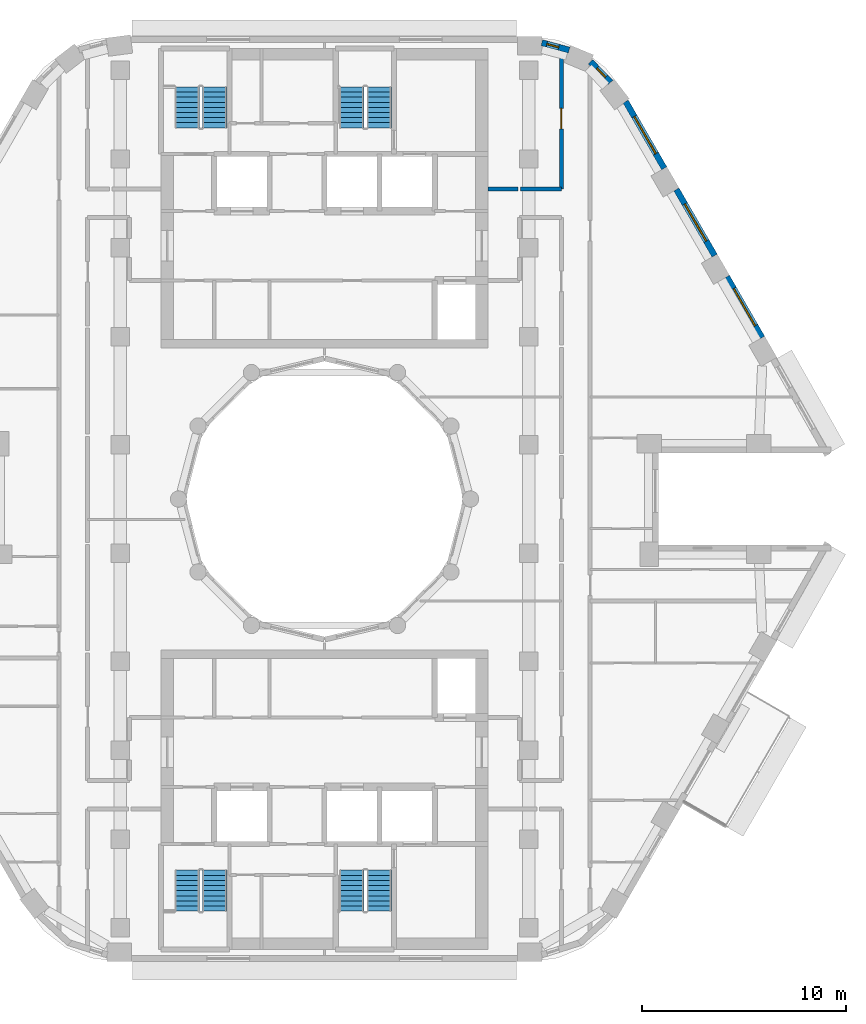
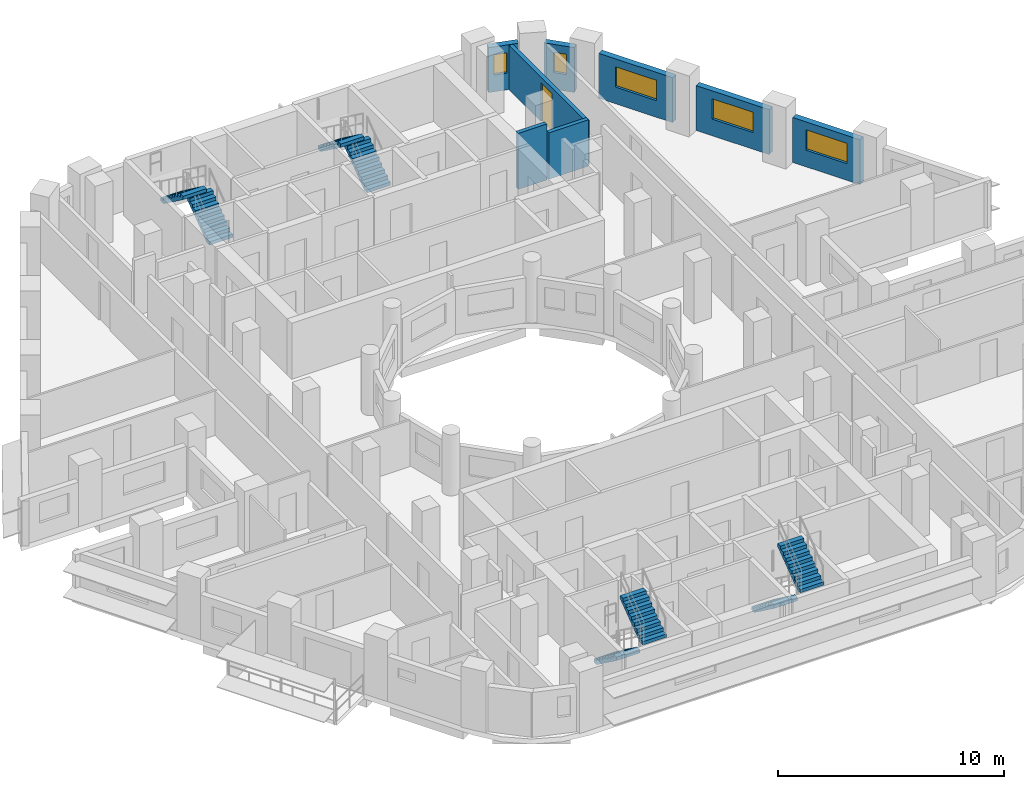
# One storey, part 9 of 15: 8 stair flights, 8 walls, 5 windows, 1 door, 6 openings, 4 elements without a shape of their own.
"""IFC4 building model written with IfcOpenShell, lengths in metres."""

from ifc_helpers import new_model, si_unit, direction, frame, frame_2d, origin, place, context, subcontext, project, spatial, polyline, rectangle, outline, extrude, material, layer, layer_set, type_object, element, fill, aggregate, save


model = new_model("IFC4")

# Units and contexts
model_context = context("Model", 3, precision=1e-05, world=origin(), true_north=direction((0.0, 1.0)))
body_context = subcontext(model_context, "Body", "Model", "MODEL_VIEW")
ifc_project = project(units=[si_unit("LENGTHUNIT", "METRE"), si_unit("AREAUNIT", "SQUARE_METRE"), si_unit("VOLUMEUNIT", "CUBIC_METRE"), si_unit("PLANEANGLEUNIT", "RADIAN"), si_unit("MASSUNIT", "GRAM", prefix="KILO")], contexts=[model_context])

# Site, building, storey
site_placement = place(None, origin())
site = spatial("IfcSite", under=ifc_project, at=site_placement, CompositionType="ELEMENT")
building_placement = place(site_placement, origin())
building = spatial("IfcBuilding", under=site, at=building_placement, Name="Nakaniwa Court", CompositionType="ELEMENT")
storey_placement = place(building_placement, frame((0.0, 0.0, 186.60009765625)))
storey = spatial("IfcBuildingStorey", under=building, at=storey_placement, Name="L48", CompositionType="ELEMENT", Elevation=186.60009765625)

# Wall, opening, door
ifc_material_1 = material(Name="Acoustic double stud partition")
ifc_layer_1 = layer(ifc_material_1, 0.199951171875)
ifc_layer_set_1 = layer_set([ifc_layer_1], Name="Acoustic double stud partition")
wall_type_1 = type_object("IfcWallType", Name="Acoustic double stud partition 200", PredefinedType="PARTITIONING", material=ifc_layer_set_1)
wall_1_placement = place(storey_placement, frame((91.60009765625, 95.175048828125, 0.0), z_axis=(0.0, 0.0, 1.0), x_axis=(0.0, 1.0, 0.0)))
wall_1 = element("IfcWall", 1, at=wall_1_placement, inside=storey, type_object=wall_type_1, Name="Partition PW-073", PredefinedType="PARTITIONING", context=body_context, shape_type="SweptSolid", body=[
    extrude(rectangle(XDim=6.898681640625, YDim=0.199951171875, at=frame_2d((3.44921875, 0.0))), origin(), (0.0, 0.0, 1.0), 2.40478515625),
])
opening_1_placement = place(wall_1_placement, frame((2.949951171875, 0.0, 0.0)))
opening_1 = element("IfcOpeningElement", 2, at=opening_1_placement, cuts=wall_1, Name="Opening D-02-09", PredefinedType="OPENING", context=body_context, shape_type="SweptSolid", body=[
    extrude(rectangle(XDim=1.0, YDim=2.10009765625, at=frame_2d((0.5, 1.050048828125))), frame((0.0, 0.10986328125, 0.0), z_axis=(0.0, -1.0, 0.0), x_axis=(1.0, 0.0, 0.0)), (0.0, 0.0, 1.0), 0.219970703125),
])
ifc_material_2 = material(Name="Solid core timber door set, black veneer", Category="wood")
door_type = type_object("IfcDoorType", Name="Internal door 1000", OperationType="NOTDEFINED", PredefinedType="DOOR", material=ifc_material_2)
door_placement = place(opening_1_placement, origin())
door = element("IfcDoor", 3, at=door_placement, inside=storey, type_object=door_type, Name="Door D-02-09 L48-049", OperationType="SINGLE_SWING_RIGHT", OverallHeight=2.10009765625, OverallWidth=1.0, PredefinedType="DOOR", context=body_context, shape_type="SweptSolid", body=[
    extrude(rectangle(XDim=1.0, YDim=2.10009765625, at=frame_2d((0.5, 1.050048828125))), frame((0.0, 0.02490234375, 0.0), z_axis=(0.0, -1.0, 0.0), x_axis=(1.0, 0.0, 0.0)), (0.0, 0.0, 1.0), 0.050048828125),
])
fill(opening_1, door)

# Walls
wall_2_placement = place(storey_placement, frame((88.0, 95.175048828125, 0.0), z_axis=(0.0, 0.0, 1.0), x_axis=(1.0, 0.0, 0.0)))
element("IfcWall", 4, at=wall_2_placement, inside=storey, type_object=wall_type_1, Name="Partition PW-093", PredefinedType="PARTITIONING", context=body_context, shape_type="SweptSolid", body=[
    extrude(rectangle(XDim=1.472900390625, YDim=0.199951171875, at=frame_2d((0.736328125, 0.0))), origin(), (0.0, 0.0, 1.0), 3.02490234375),
])
wall_3_placement = place(storey_placement, frame((89.587158203125, 95.175048828125, 0.0), z_axis=(0.0, 0.0, 1.0), x_axis=(1.0, 0.0, 0.0)))
element("IfcWall", 5, at=wall_3_placement, inside=storey, type_object=wall_type_1, Name="Partition PW-094", PredefinedType="PARTITIONING", context=body_context, shape_type="SweptSolid", body=[
    extrude(rectangle(XDim=2.012939453125, YDim=0.199951171875, at=frame_2d((1.00634765625, 0.0))), origin(), (0.0, 0.0, 1.0), 2.5048828125),
])

# Wall, opening, window
ifc_material_3 = material(Name="Charcoal ceramic cladding")
ifc_layer_2 = layer(ifc_material_3, 0.02, Name="Ceramic cladding")
ifc_material_4 = material(Name="Ventilated air cavity")
ifc_layer_3 = layer(ifc_material_4, 0.04, ventilated=True, Name="Ventilated cavity")
ifc_material_5 = material(Name="Mineral wool insulation")
ifc_layer_4 = layer(ifc_material_5, 0.1, Name="Insulation")
ifc_material_6 = material(Name="Cement bonded sheathing board")
ifc_layer_5 = layer(ifc_material_6, 0.012, Name="Sheathing")
ifc_material_7 = material(Name="Cold-formed galvanised stud frame with mineral wool infill")
ifc_layer_6 = layer(ifc_material_7, 0.1, Name="Stud frame")
ifc_material_8 = material(Name="Fire-rated gypsum plasterboard lining")
ifc_layer_7 = layer(ifc_material_8, 0.028, Name="Lining")
ifc_layer_set_2 = layer_set([ifc_layer_2, ifc_layer_3, ifc_layer_4, ifc_layer_5, ifc_layer_6, ifc_layer_7], Name="Charcoal ceramic faced external wall system")
wall_type_2 = type_object("IfcWallType", Name="Black ceramic faced external wall 300", PredefinedType="SOLIDWALL", material=ifc_layer_set_2)
wall_4_placement = place(storey_placement, frame((101.420654296875, 87.898193359375, 0.0), z_axis=(0.0, 0.0, 1.0), x_axis=(-0.499955427682, 0.866051136095, 0.0)))
wall_4 = element("IfcWall", 6, at=wall_4_placement, inside=storey, type_object=wall_type_2, Name="L48 external wall 03", PredefinedType="SOLIDWALL", context=body_context, shape_type="SweptSolid", body=[
    extrude(rectangle(XDim=3.447021484375, YDim=0.300048828125, at=frame_2d((1.7236328125, 0.0))), origin(), (0.0, 0.0, 1.0), 2.4248046875),
])
opening_2_placement = place(wall_4_placement, frame((0.673583984375, 0.0, 0.89990234375)))
opening_2 = element("IfcOpeningElement", 7, at=opening_2_placement, cuts=wall_4, Name="Opening W7.03", PredefinedType="OPENING", context=body_context, shape_type="SweptSolid", body=[
    extrude(rectangle(XDim=2.10009765625, YDim=1.10009765625, at=frame_2d((1.050048828125, 0.550048828125))), frame((0.0, 0.159912109375, 0.0), z_axis=(0.0, -1.0, 0.0), x_axis=(1.0, 0.0, 0.0)), (0.0, 0.0, 1.0), 0.320068359375),
])
ifc_material_9 = material(Name="Black anodised aluminium frame with dark low-E laminated double glazing", Category="aluminium")
window_type_1 = type_object("IfcWindowType", Name="Dark glass window 2100x1100 sill 900", PartitioningType="SINGLE_PANEL", PredefinedType="WINDOW", material=ifc_material_9)
window_1_placement = place(opening_2_placement, origin())
window_1 = element("IfcWindow", 8, at=window_1_placement, inside=storey, type_object=window_type_1, Name="L48 habitable room window 03-0", OverallHeight=1.10009765625, OverallWidth=2.10009765625, PartitioningType="SINGLE_PANEL", PredefinedType="WINDOW", context=body_context, shape_type="SweptSolid", body=[
    extrude(rectangle(XDim=2.10009765625, YDim=1.10009765625, at=frame_2d((1.050048828125, 0.550048828125))), frame((0.0, 0.030029296875, 0.0), z_axis=(0.0, -1.0, 0.0), x_axis=(1.0, 0.0, 0.0)), (0.0, 0.0, 1.0), 0.06005859375),
])
fill(opening_2, window_1)

wall_5_placement = place(storey_placement, frame((99.101318359375, 91.916015625, 0.0), z_axis=(0.0, 0.0, 1.0), x_axis=(-0.500059225181, 0.86599120741, 0.0)))
wall_5 = element("IfcWall", 9, at=wall_5_placement, inside=storey, type_object=wall_type_2, Name="L48 external wall 04", PredefinedType="SOLIDWALL", context=body_context, shape_type="SweptSolid", body=[
    extrude(rectangle(XDim=3.744140625, YDim=0.300048828125, at=frame_2d((1.8720703125, 0.0))), origin(), (0.0, 0.0, 1.0), 2.4248046875),
])
opening_3_placement = place(wall_5_placement, frame((0.822265625, 0.0, 0.89990234375)))
opening_3 = element("IfcOpeningElement", 10, at=opening_3_placement, cuts=wall_5, Name="Opening W7.04", PredefinedType="OPENING", context=body_context, shape_type="SweptSolid", body=[
    extrude(rectangle(XDim=2.10009765625, YDim=1.10009765625, at=frame_2d((1.050048828125, 0.550048828125))), frame((0.0, 0.159912109375, 0.0), z_axis=(0.0, -1.0, 0.0), x_axis=(1.0, 0.0, 0.0)), (0.0, 0.0, 1.0), 0.320068359375),
])
window_2_placement = place(opening_3_placement, origin())
window_2 = element("IfcWindow", 11, at=window_2_placement, inside=storey, type_object=window_type_1, Name="L48 habitable room window 04-0", OverallHeight=1.10009765625, OverallWidth=2.10009765625, PartitioningType="SINGLE_PANEL", PredefinedType="WINDOW", context=body_context, shape_type="SweptSolid", body=[
    extrude(rectangle(XDim=2.10009765625, YDim=1.10009765625, at=frame_2d((1.050048828125, 0.550048828125))), frame((0.0, 0.030029296875, 0.0), z_axis=(0.0, -1.0, 0.0), x_axis=(1.0, 0.0, 0.0)), (0.0, 0.0, 1.0), 0.06005859375),
])
fill(opening_3, window_2)

wall_6_placement = place(storey_placement, frame((96.633056640625, 96.190673828125, 0.0), z_axis=(0.0, 0.0, 1.0), x_axis=(-0.499961087031, 0.866047869032, 0.0)))
wall_6 = element("IfcWall", 12, at=wall_6_placement, inside=storey, type_object=wall_type_2, Name="L48 external wall 05", PredefinedType="SOLIDWALL", context=body_context, shape_type="SweptSolid", body=[
    extrude(rectangle(XDim=3.778564453125, YDim=0.300048828125, at=frame_2d((1.88916015625, 0.0))), origin(), (0.0, 0.0, 1.0), 2.4248046875),
])
opening_4_placement = place(wall_6_placement, frame((0.827880859375, 0.0, 0.89990234375)))
opening_4 = element("IfcOpeningElement", 13, at=opening_4_placement, cuts=wall_6, Name="Opening W7.05", PredefinedType="OPENING", context=body_context, shape_type="SweptSolid", body=[
    extrude(rectangle(XDim=2.10009765625, YDim=1.10009765625, at=frame_2d((1.050048828125, 0.550048828125))), frame((0.0, 0.159912109375, 0.0), z_axis=(0.0, -1.0, 0.0), x_axis=(1.0, 0.0, 0.0)), (0.0, 0.0, 1.0), 0.320068359375),
])
window_3_placement = place(opening_4_placement, origin())
window_3 = element("IfcWindow", 14, at=window_3_placement, inside=storey, type_object=window_type_1, Name="L48 habitable room window 05-0", OverallHeight=1.10009765625, OverallWidth=2.10009765625, PartitioningType="SINGLE_PANEL", PredefinedType="WINDOW", context=body_context, shape_type="SweptSolid", body=[
    extrude(rectangle(XDim=2.10009765625, YDim=1.10009765625, at=frame_2d((1.050048828125, 0.550048828125))), frame((0.0, 0.030029296875, 0.0), z_axis=(0.0, -1.0, 0.0), x_axis=(1.0, 0.0, 0.0)), (0.0, 0.0, 1.0), 0.06005859375),
])
fill(opening_4, window_3)

wall_7_placement = place(storey_placement, frame((94.009033203125, 100.40185546875, 0.0), z_axis=(0.0, 0.0, 1.0), x_axis=(-0.69817596362, 0.715926199984, 0.0)))
wall_7 = element("IfcWall", 15, at=wall_7_placement, inside=storey, type_object=wall_type_2, Name="L48 external wall 06", PredefinedType="SOLIDWALL", context=body_context, shape_type="SweptSolid", body=[
    extrude(rectangle(XDim=1.40283203125, YDim=0.300048828125, at=frame_2d((0.701416015625, 0.0))), origin(), (0.0, 0.0, 1.0), 2.4248046875),
])
opening_5_placement = place(wall_7_placement, frame((0.35986328125, 0.0, 0.89990234375)))
opening_5 = element("IfcOpeningElement", 16, at=opening_5_placement, cuts=wall_7, Name="Opening W8.06", PredefinedType="OPENING", context=body_context, shape_type="SweptSolid", body=[
    extrude(rectangle(XDim=0.60009765625, YDim=1.10009765625, at=frame_2d((0.300048828125, 0.550048828125))), frame((0.0, 0.159912109375, 0.0), z_axis=(0.0, -1.0, 0.0), x_axis=(1.0, 0.0, 0.0)), (0.0, 0.0, 1.0), 0.320068359375),
])
window_type_2 = type_object("IfcWindowType", Name="Dark glass window 600x1100 sill 900", PartitioningType="SINGLE_PANEL", PredefinedType="WINDOW", material=ifc_material_9)
window_4_placement = place(opening_5_placement, origin())
window_4 = element("IfcWindow", 17, at=window_4_placement, inside=storey, type_object=window_type_2, Name="L48 habitable room window 06-0", OverallHeight=1.10009765625, OverallWidth=0.60009765625, PartitioningType="SINGLE_PANEL", PredefinedType="WINDOW", context=body_context, shape_type="SweptSolid", body=[
    extrude(rectangle(XDim=0.60009765625, YDim=1.10009765625, at=frame_2d((0.300048828125, 0.550048828125))), frame((0.0, 0.030029296875, 0.0), z_axis=(0.0, -1.0, 0.0), x_axis=(1.0, 0.0, 0.0)), (0.0, 0.0, 1.0), 0.06005859375),
])
fill(opening_5, window_4)

wall_8_placement = place(storey_placement, frame((91.977294921875, 101.981201171875, 0.0), z_axis=(0.0, 0.0, 1.0), x_axis=(-0.965315341278, 0.261086751661, 0.0)))
wall_8 = element("IfcWall", 18, at=wall_8_placement, inside=storey, type_object=wall_type_2, Name="L48 external wall 07", PredefinedType="SOLIDWALL", context=body_context, shape_type="SweptSolid", body=[
    extrude(rectangle(XDim=1.384033203125, YDim=0.300048828125, at=frame_2d((0.69189453125, 0.0))), origin(), (0.0, 0.0, 1.0), 2.4248046875),
])
opening_6_placement = place(wall_8_placement, frame((0.529296875, 0.0, 0.89990234375)))
opening_6 = element("IfcOpeningElement", 19, at=opening_6_placement, cuts=wall_8, Name="Opening W8.07", PredefinedType="OPENING", context=body_context, shape_type="SweptSolid", body=[
    extrude(rectangle(XDim=0.60009765625, YDim=1.10009765625, at=frame_2d((0.300048828125, 0.550048828125))), frame((0.0, 0.159912109375, 0.0), z_axis=(0.0, -1.0, 0.0), x_axis=(1.0, 0.0, 0.0)), (0.0, 0.0, 1.0), 0.320068359375),
])
window_5_placement = place(opening_6_placement, origin())
window_5 = element("IfcWindow", 20, at=window_5_placement, inside=storey, type_object=window_type_2, Name="L48 habitable room window 07-1", OverallHeight=1.10009765625, OverallWidth=0.60009765625, PartitioningType="SINGLE_PANEL", PredefinedType="WINDOW", context=body_context, shape_type="SweptSolid", body=[
    extrude(rectangle(XDim=0.60009765625, YDim=1.10009765625, at=frame_2d((0.300048828125, 0.550048828125))), frame((0.0, 0.030029296875, 0.0), z_axis=(0.0, -1.0, 0.0), x_axis=(1.0, 0.0, 0.0)), (0.0, 0.0, 1.0), 0.06005859375),
])
fill(opening_6, window_5)

# Stair, stair flights
ifc_material_10 = material(Name="Concrete C80/100", Category="concrete")
stair_type = type_object("IfcStairType", Name="Dog leg stair 1200 wide 18 risers", PredefinedType="HALF_TURN_STAIR", material=ifc_material_10)
stair_1_placement = place(storey_placement, origin())
stair_1 = element("IfcStair", 21, at=stair_1_placement, inside=storey, type_object=stair_type, Name="L48 Stair ST1", PredefinedType="HALF_TURN_STAIR")
stair_flight_type = type_object("IfcStairFlightType", Name="Stair flight 1200 wide 9 risers", PredefinedType="STRAIGHT", material=ifc_material_10)
stair_flight_1_placement = place(storey_placement, frame((74.625, 98.175048828125, 0.0), z_axis=(0.0, 0.0, 1.0), x_axis=(0.0, 1.0, 0.0)))
stair_flight_1 = element("IfcStairFlight", 22, at=stair_flight_1_placement, type_object=stair_flight_type, Name="ST1 flight 1", NumberOfRisers=9, NumberOfTreads=8, PredefinedType="STRAIGHT", RiserHeight=0.183333333, TreadLength=0.25, context=body_context, shape_type="SweptSolid", body=[
    extrude(outline(polyline([(0.0, 0.0), (0.0, 0.026123046875), (0.0, 0.052490234375), (0.0, 0.07861328125), (0.0, 0.104736328125), (0.0, 0.130859375), (0.0, 0.1572265625), (0.0, 0.183349609375), (0.25, 0.183349609375), (0.25, 0.36669921875), (0.5, 0.36669921875), (0.5, 0.550048828125), (0.75, 0.550048828125), (0.75, 0.7333984375), (1.0, 0.7333984375), (1.0, 0.916748046875), (1.25, 0.916748046875), (1.25, 1.10009765625), (1.5, 1.10009765625), (1.5, 1.283447265625), (1.75, 1.283447265625), (1.75, 1.466552734375), (2.0, 1.466552734375), (2.0, 1.64990234375), (2.0, 1.59716796875), (2.0, 1.54443359375), (2.0, 1.49169921875), (2.0, 1.43896484375), (2.0, 1.38623046875), (2.0, 1.33349609375), (2.0, 1.28076171875), (0.25341796875, 0.0), (0.0, 0.0)])), frame((0.0, 0.60009765625, 0.0), z_axis=(0.0, -1.0, 0.0), x_axis=(1.0, 0.0, 0.0)), (0.0, 0.0, 1.0), 1.199951171875),
])
stair_flight_2_placement = place(storey_placement, frame((73.27490234375, 100.175048828125, 1.64990234375), z_axis=(0.0, 0.0, 1.0), x_axis=(0.0, -1.0, 0.0)))
stair_flight_2 = element("IfcStairFlight", 23, at=stair_flight_2_placement, type_object=stair_flight_type, Name="ST1 flight 2", NumberOfRisers=9, NumberOfTreads=8, PredefinedType="STRAIGHT", RiserHeight=0.183333333, TreadLength=0.25, context=body_context, shape_type="SweptSolid", body=[
    extrude(outline(polyline([(0.0, 0.0), (0.0, 0.026123046875), (0.0, 0.052490234375), (0.0, 0.07861328125), (0.0, 0.104736328125), (0.0, 0.130859375), (0.0, 0.1572265625), (0.0, 0.183349609375), (0.25, 0.183349609375), (0.25, 0.36669921875), (0.5, 0.36669921875), (0.5, 0.550048828125), (0.75, 0.550048828125), (0.75, 0.7333984375), (1.0, 0.7333984375), (1.0, 0.916748046875), (1.25, 0.916748046875), (1.25, 1.10009765625), (1.5, 1.10009765625), (1.5, 1.283447265625), (1.75, 1.283447265625), (1.75, 1.466552734375), (2.0, 1.466552734375), (2.0, 1.64990234375), (2.0, 1.59716796875), (2.0, 1.54443359375), (2.0, 1.49169921875), (2.0, 1.43896484375), (2.0, 1.38623046875), (2.0, 1.33349609375), (2.0, 1.28076171875), (0.25341796875, 0.0), (0.0, 0.0)])), frame((0.0, 0.60009765625, 0.0), z_axis=(0.0, -1.0, 0.0), x_axis=(1.0, 0.0, 0.0)), (0.0, 0.0, 1.0), 1.199951171875),
])
aggregate(stair_1, [stair_flight_1, stair_flight_2])

stair_2_placement = place(storey_placement, origin())
stair_2 = element("IfcStair", 24, at=stair_2_placement, inside=storey, type_object=stair_type, Name="L48 Stair ST2", PredefinedType="HALF_TURN_STAIR")
stair_flight_3_placement = place(storey_placement, frame((82.675048828125, 98.175048828125, 0.0), z_axis=(0.0, 0.0, 1.0), x_axis=(0.0, 1.0, 0.0)))
stair_flight_3 = element("IfcStairFlight", 25, at=stair_flight_3_placement, type_object=stair_flight_type, Name="ST2 flight 1", NumberOfRisers=9, NumberOfTreads=8, PredefinedType="STRAIGHT", RiserHeight=0.183333333, TreadLength=0.25, context=body_context, shape_type="SweptSolid", body=[
    extrude(outline(polyline([(0.0, 0.0), (0.0, 0.026123046875), (0.0, 0.052490234375), (0.0, 0.07861328125), (0.0, 0.104736328125), (0.0, 0.130859375), (0.0, 0.1572265625), (0.0, 0.183349609375), (0.25, 0.183349609375), (0.25, 0.36669921875), (0.5, 0.36669921875), (0.5, 0.550048828125), (0.75, 0.550048828125), (0.75, 0.7333984375), (1.0, 0.7333984375), (1.0, 0.916748046875), (1.25, 0.916748046875), (1.25, 1.10009765625), (1.5, 1.10009765625), (1.5, 1.283447265625), (1.75, 1.283447265625), (1.75, 1.466552734375), (2.0, 1.466552734375), (2.0, 1.64990234375), (2.0, 1.59716796875), (2.0, 1.54443359375), (2.0, 1.49169921875), (2.0, 1.43896484375), (2.0, 1.38623046875), (2.0, 1.33349609375), (2.0, 1.28076171875), (0.25341796875, 0.0), (0.0, 0.0)])), frame((0.0, 0.60009765625, 0.0), z_axis=(0.0, -1.0, 0.0), x_axis=(1.0, 0.0, 0.0)), (0.0, 0.0, 1.0), 1.199951171875),
])
stair_flight_4_placement = place(storey_placement, frame((81.324951171875, 100.175048828125, 1.64990234375), z_axis=(0.0, 0.0, 1.0), x_axis=(0.0, -1.0, 0.0)))
stair_flight_4 = element("IfcStairFlight", 26, at=stair_flight_4_placement, type_object=stair_flight_type, Name="ST2 flight 2", NumberOfRisers=9, NumberOfTreads=8, PredefinedType="STRAIGHT", RiserHeight=0.183333333, TreadLength=0.25, context=body_context, shape_type="SweptSolid", body=[
    extrude(outline(polyline([(0.0, 0.0), (0.0, 0.026123046875), (0.0, 0.052490234375), (0.0, 0.07861328125), (0.0, 0.104736328125), (0.0, 0.130859375), (0.0, 0.1572265625), (0.0, 0.183349609375), (0.25, 0.183349609375), (0.25, 0.36669921875), (0.5, 0.36669921875), (0.5, 0.550048828125), (0.75, 0.550048828125), (0.75, 0.7333984375), (1.0, 0.7333984375), (1.0, 0.916748046875), (1.25, 0.916748046875), (1.25, 1.10009765625), (1.5, 1.10009765625), (1.5, 1.283447265625), (1.75, 1.283447265625), (1.75, 1.466552734375), (2.0, 1.466552734375), (2.0, 1.64990234375), (2.0, 1.59716796875), (2.0, 1.54443359375), (2.0, 1.49169921875), (2.0, 1.43896484375), (2.0, 1.38623046875), (2.0, 1.33349609375), (2.0, 1.28076171875), (0.25341796875, 0.0), (0.0, 0.0)])), frame((0.0, 0.60009765625, 0.0), z_axis=(0.0, -1.0, 0.0), x_axis=(1.0, 0.0, 0.0)), (0.0, 0.0, 1.0), 1.199951171875),
])
aggregate(stair_2, [stair_flight_3, stair_flight_4])

stair_3_placement = place(storey_placement, origin())
stair_3 = element("IfcStair", 27, at=stair_3_placement, inside=storey, type_object=stair_type, Name="L48 Stair ST3", PredefinedType="HALF_TURN_STAIR")
stair_flight_5_placement = place(storey_placement, frame((73.27490234375, 61.824951171875, 0.0), z_axis=(0.0, 0.0, 1.0), x_axis=(0.0, -1.0, 0.0)))
stair_flight_5 = element("IfcStairFlight", 28, at=stair_flight_5_placement, type_object=stair_flight_type, Name="ST3 flight 1", NumberOfRisers=9, NumberOfTreads=8, PredefinedType="STRAIGHT", RiserHeight=0.183333333, TreadLength=0.25, context=body_context, shape_type="SweptSolid", body=[
    extrude(outline(polyline([(0.0, 0.0), (0.0, 0.026123046875), (0.0, 0.052490234375), (0.0, 0.07861328125), (0.0, 0.104736328125), (0.0, 0.130859375), (0.0, 0.1572265625), (0.0, 0.183349609375), (0.25, 0.183349609375), (0.25, 0.36669921875), (0.5, 0.36669921875), (0.5, 0.550048828125), (0.75, 0.550048828125), (0.75, 0.7333984375), (1.0, 0.7333984375), (1.0, 0.916748046875), (1.25, 0.916748046875), (1.25, 1.10009765625), (1.5, 1.10009765625), (1.5, 1.283447265625), (1.75, 1.283447265625), (1.75, 1.466552734375), (2.0, 1.466552734375), (2.0, 1.64990234375), (2.0, 1.59716796875), (2.0, 1.54443359375), (2.0, 1.49169921875), (2.0, 1.43896484375), (2.0, 1.38623046875), (2.0, 1.33349609375), (2.0, 1.28076171875), (0.25341796875, 0.0), (0.0, 0.0)])), frame((0.0, 0.60009765625, 0.0), z_axis=(0.0, -1.0, 0.0), x_axis=(1.0, 0.0, 0.0)), (0.0, 0.0, 1.0), 1.199951171875),
])
stair_flight_6_placement = place(storey_placement, frame((74.625, 59.824951171875, 1.64990234375), z_axis=(0.0, 0.0, 1.0), x_axis=(0.0, 1.0, 0.0)))
stair_flight_6 = element("IfcStairFlight", 29, at=stair_flight_6_placement, type_object=stair_flight_type, Name="ST3 flight 2", NumberOfRisers=9, NumberOfTreads=8, PredefinedType="STRAIGHT", RiserHeight=0.183333333, TreadLength=0.25, context=body_context, shape_type="SweptSolid", body=[
    extrude(outline(polyline([(0.0, 0.0), (0.0, 0.026123046875), (0.0, 0.052490234375), (0.0, 0.07861328125), (0.0, 0.104736328125), (0.0, 0.130859375), (0.0, 0.1572265625), (0.0, 0.183349609375), (0.25, 0.183349609375), (0.25, 0.36669921875), (0.5, 0.36669921875), (0.5, 0.550048828125), (0.75, 0.550048828125), (0.75, 0.7333984375), (1.0, 0.7333984375), (1.0, 0.916748046875), (1.25, 0.916748046875), (1.25, 1.10009765625), (1.5, 1.10009765625), (1.5, 1.283447265625), (1.75, 1.283447265625), (1.75, 1.466552734375), (2.0, 1.466552734375), (2.0, 1.64990234375), (2.0, 1.59716796875), (2.0, 1.54443359375), (2.0, 1.49169921875), (2.0, 1.43896484375), (2.0, 1.38623046875), (2.0, 1.33349609375), (2.0, 1.28076171875), (0.25341796875, 0.0), (0.0, 0.0)])), frame((0.0, 0.60009765625, 0.0), z_axis=(0.0, -1.0, 0.0), x_axis=(1.0, 0.0, 0.0)), (0.0, 0.0, 1.0), 1.199951171875),
])
aggregate(stair_3, [stair_flight_5, stair_flight_6])

stair_4_placement = place(storey_placement, origin())
stair_4 = element("IfcStair", 30, at=stair_4_placement, inside=storey, type_object=stair_type, Name="L48 Stair ST4", PredefinedType="HALF_TURN_STAIR")
stair_flight_7_placement = place(storey_placement, frame((81.324951171875, 61.824951171875, 0.0), z_axis=(0.0, 0.0, 1.0), x_axis=(0.0, -1.0, 0.0)))
stair_flight_7 = element("IfcStairFlight", 31, at=stair_flight_7_placement, type_object=stair_flight_type, Name="ST4 flight 1", NumberOfRisers=9, NumberOfTreads=8, PredefinedType="STRAIGHT", RiserHeight=0.183333333, TreadLength=0.25, context=body_context, shape_type="SweptSolid", body=[
    extrude(outline(polyline([(0.0, 0.0), (0.0, 0.026123046875), (0.0, 0.052490234375), (0.0, 0.07861328125), (0.0, 0.104736328125), (0.0, 0.130859375), (0.0, 0.1572265625), (0.0, 0.183349609375), (0.25, 0.183349609375), (0.25, 0.36669921875), (0.5, 0.36669921875), (0.5, 0.550048828125), (0.75, 0.550048828125), (0.75, 0.7333984375), (1.0, 0.7333984375), (1.0, 0.916748046875), (1.25, 0.916748046875), (1.25, 1.10009765625), (1.5, 1.10009765625), (1.5, 1.283447265625), (1.75, 1.283447265625), (1.75, 1.466552734375), (2.0, 1.466552734375), (2.0, 1.64990234375), (2.0, 1.59716796875), (2.0, 1.54443359375), (2.0, 1.49169921875), (2.0, 1.43896484375), (2.0, 1.38623046875), (2.0, 1.33349609375), (2.0, 1.28076171875), (0.25341796875, 0.0), (0.0, 0.0)])), frame((0.0, 0.60009765625, 0.0), z_axis=(0.0, -1.0, 0.0), x_axis=(1.0, 0.0, 0.0)), (0.0, 0.0, 1.0), 1.199951171875),
])
stair_flight_8_placement = place(storey_placement, frame((82.675048828125, 59.824951171875, 1.64990234375), z_axis=(0.0, 0.0, 1.0), x_axis=(0.0, 1.0, 0.0)))
stair_flight_8 = element("IfcStairFlight", 32, at=stair_flight_8_placement, type_object=stair_flight_type, Name="ST4 flight 2", NumberOfRisers=9, NumberOfTreads=8, PredefinedType="STRAIGHT", RiserHeight=0.183333333, TreadLength=0.25, context=body_context, shape_type="SweptSolid", body=[
    extrude(outline(polyline([(0.0, 0.0), (0.0, 0.026123046875), (0.0, 0.052490234375), (0.0, 0.07861328125), (0.0, 0.104736328125), (0.0, 0.130859375), (0.0, 0.1572265625), (0.0, 0.183349609375), (0.25, 0.183349609375), (0.25, 0.36669921875), (0.5, 0.36669921875), (0.5, 0.550048828125), (0.75, 0.550048828125), (0.75, 0.7333984375), (1.0, 0.7333984375), (1.0, 0.916748046875), (1.25, 0.916748046875), (1.25, 1.10009765625), (1.5, 1.10009765625), (1.5, 1.283447265625), (1.75, 1.283447265625), (1.75, 1.466552734375), (2.0, 1.466552734375), (2.0, 1.64990234375), (2.0, 1.59716796875), (2.0, 1.54443359375), (2.0, 1.49169921875), (2.0, 1.43896484375), (2.0, 1.38623046875), (2.0, 1.33349609375), (2.0, 1.28076171875), (0.25341796875, 0.0), (0.0, 0.0)])), frame((0.0, 0.60009765625, 0.0), z_axis=(0.0, -1.0, 0.0), x_axis=(1.0, 0.0, 0.0)), (0.0, 0.0, 1.0), 1.199951171875),
])
aggregate(stair_4, [stair_flight_7, stair_flight_8])

save(model, "model.ifc")
